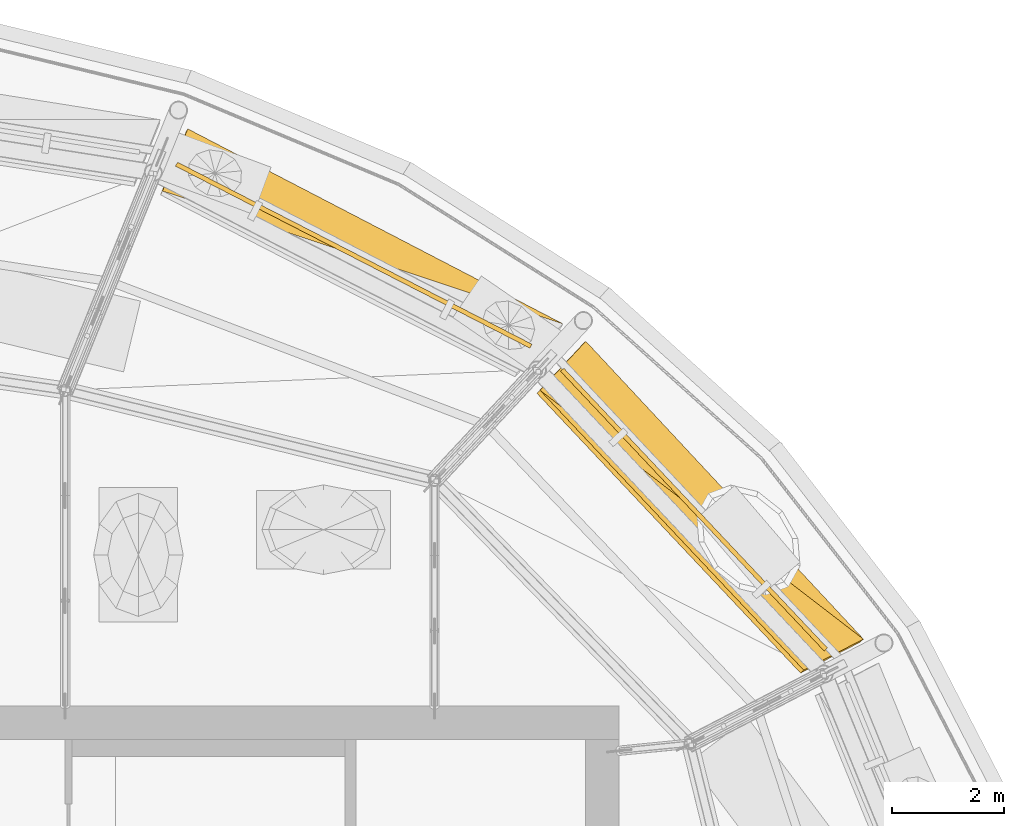
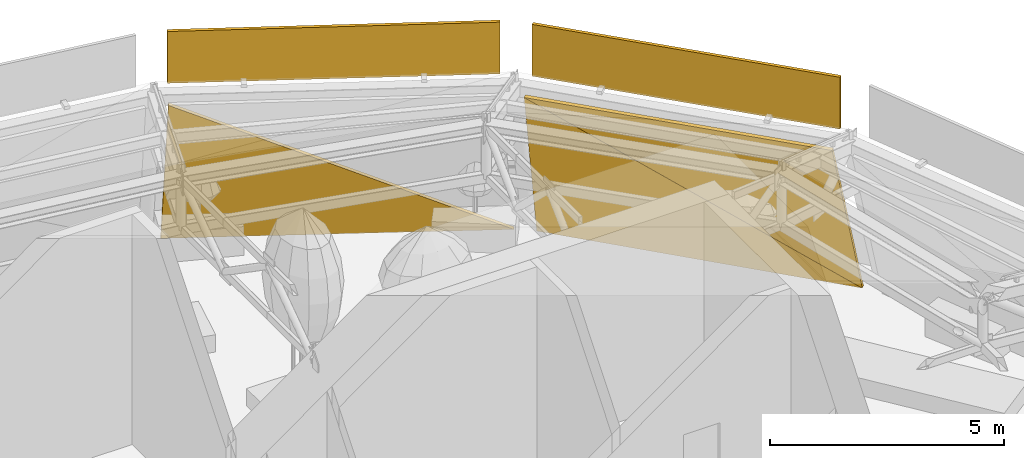
# One storey, part 31 of 40: 5 shading devices.
"""IFC4 building model written with IfcOpenShell, lengths in metres."""

from ifc_helpers import new_model, si_unit, direction, frame, origin, place, context, subcontext, project, spatial, polyline, outline, extrude, material, layer, layer_set, type_object, element, save


model = new_model("IFC4")

# Units and contexts
model_context = context("Model", 3, precision=1e-05, world=origin(), true_north=direction((0.0, 1.0)))
body_context = subcontext(model_context, "Body", "Model", "MODEL_VIEW")
ifc_project = project(units=[si_unit("LENGTHUNIT", "METRE"), si_unit("AREAUNIT", "SQUARE_METRE"), si_unit("VOLUMEUNIT", "CUBIC_METRE"), si_unit("PLANEANGLEUNIT", "RADIAN"), si_unit("MASSUNIT", "GRAM", prefix="KILO")], contexts=[model_context])

# Site, building, storey
site_placement = place(None, origin())
site = spatial("IfcSite", under=ifc_project, at=site_placement, CompositionType="ELEMENT")
building_placement = place(site_placement, origin())
building = spatial("IfcBuilding", under=site, at=building_placement, Name="Taillehof Tower", CompositionType="ELEMENT")
storey_placement = place(building_placement, frame((0.0, 0.0, 275.199951171875)))
storey = spatial("IfcBuildingStorey", under=building, at=storey_placement, Name="L77", CompositionType="ELEMENT", Elevation=275.199951171875)

# Shading devices
ifc_material = material(Name="Aluminium louvre blades with fritted glass backing", Category="aluminium")
ifc_layer = layer(ifc_material, 0.080078125)
ifc_layer_set = layer_set([ifc_layer], Name="Crown louvre screen 80")
shading_device_type = type_object("IfcShadingDeviceType", Name="Crown louvre screen 80", PredefinedType="USERDEFINED", material=ifc_layer_set)
shading_device_1_placement = place(storey_placement, frame((20.362548828125, 11.1943359375, 0.0), z_axis=(0.704782598144, 0.656926191223, 0.267823577452), x_axis=(-0.68183500741, 0.731505996333, 0.0)))
element("IfcShadingDevice", 1, at=shading_device_1_placement, inside=storey, type_object=shading_device_type, Name="Crown louvre screen 2", ObjectType="LOUVER", PredefinedType="USERDEFINED", context=body_context, shape_type="SweptSolid", body=[
    extrude(outline(polyline([(0.0, 0.0), (7.2744298600101995, -1.1102230246251565e-16), (7.189754215712666, 4.463094733867658), (0.0, 0.0)])), origin(), (0.0, 0.0, -1.0), 0.080078125),
])
shading_device_2_placement = place(storey_placement, frame((20.362548828125, 11.1943359375, 0.0), z_axis=(0.70280498563, 0.662331822045, 0.259579871485), x_axis=(-0.682622992453, 0.525187817701, 0.508137389209)))
element("IfcShadingDevice", 2, at=shading_device_2_placement, inside=storey, type_object=shading_device_type, Name="Crown louvre screen 2", ObjectType="LOUVER", PredefinedType="USERDEFINED", context=body_context, shape_type="SweptSolid", body=[
    extrude(outline(polyline([(0.0, 0.0), (8.462374388186525, 4.440892098500626e-16), (2.621871895953258, 3.613831146791045), (0.0, 0.0)])), origin(), (0.0, 0.0, -1.0), 0.080078125),
])
shading_device_3_placement = place(storey_placement, frame((19.720703125, 11.035888671875, 4.449951171875), z_axis=(0.727733356091, 0.685860162447, 0.0), x_axis=(-0.685860162447, 0.727733356091, 0.0)))
element("IfcShadingDevice", 3, at=shading_device_3_placement, inside=storey, type_object=shading_device_type, Name="Crown louvre fascia 2", ObjectType="LOUVER", PredefinedType="USERDEFINED", context=body_context, shape_type="SweptSolid", body=[
    extrude(outline(polyline([(0.0, 0.0), (6.868300008221636, 0.0), (6.868300008221636, 1.3500976562500002), (0.0, 1.3500976562500002), (0.0, 0.0)])), origin(), (0.0, 0.0, -1.0), 0.080078125),
])
shading_device_4_placement = place(storey_placement, frame((14.991455078125, 16.828125, 0.0), z_axis=(0.444367777371, 0.855027903655, 0.267328566387), x_axis=(-0.887321585278, 0.461151172936, 0.0)))
element("IfcShadingDevice", 4, at=shading_device_4_placement, inside=storey, type_object=shading_device_type, Name="Crown louvre screen 3", ObjectType="LOUVER", PredefinedType="USERDEFINED", context=body_context, shape_type="SweptSolid", body=[
    extrude(outline(polyline([(0.0, 0.0), (7.551584121164838, 0.0), (7.438137148908368, 4.46245803983147), (0.0, 0.0)])), origin(), (0.0, 0.0, -1.0), 0.080078125),
])
shading_device_5_placement = place(storey_placement, frame((14.440185546875, 16.46337890625, 4.449951171875), z_axis=(0.456779007109, 0.889580203616, 0.0), x_axis=(-0.889580203616, 0.456779007109, 0.0)))
element("IfcShadingDevice", 5, at=shading_device_5_placement, inside=storey, type_object=shading_device_type, Name="Crown louvre fascia 3", ObjectType="LOUVER", PredefinedType="USERDEFINED", context=body_context, shape_type="SweptSolid", body=[
    extrude(outline(polyline([(0.0, 0.0), (7.117175947027116, 0.0), (7.117175947027116, 1.35009765625), (0.0, 1.35009765625), (0.0, 0.0)])), origin(), (0.0, 0.0, -1.0), 0.080078125),
])

save(model, "model.ifc")
